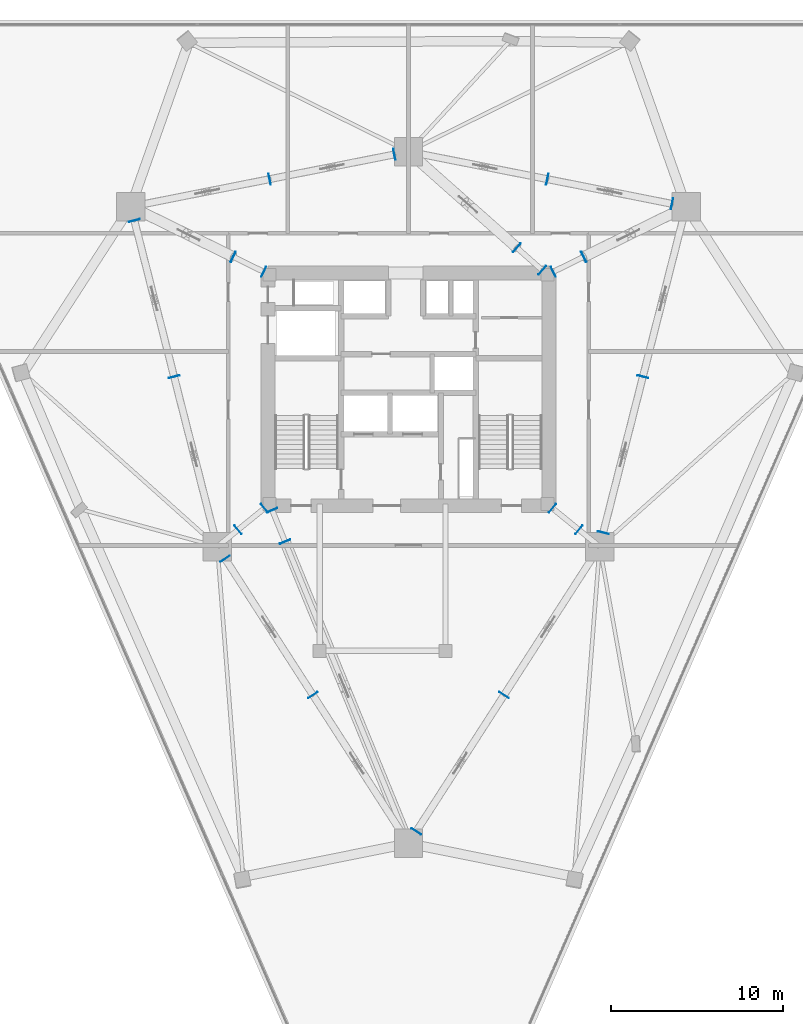
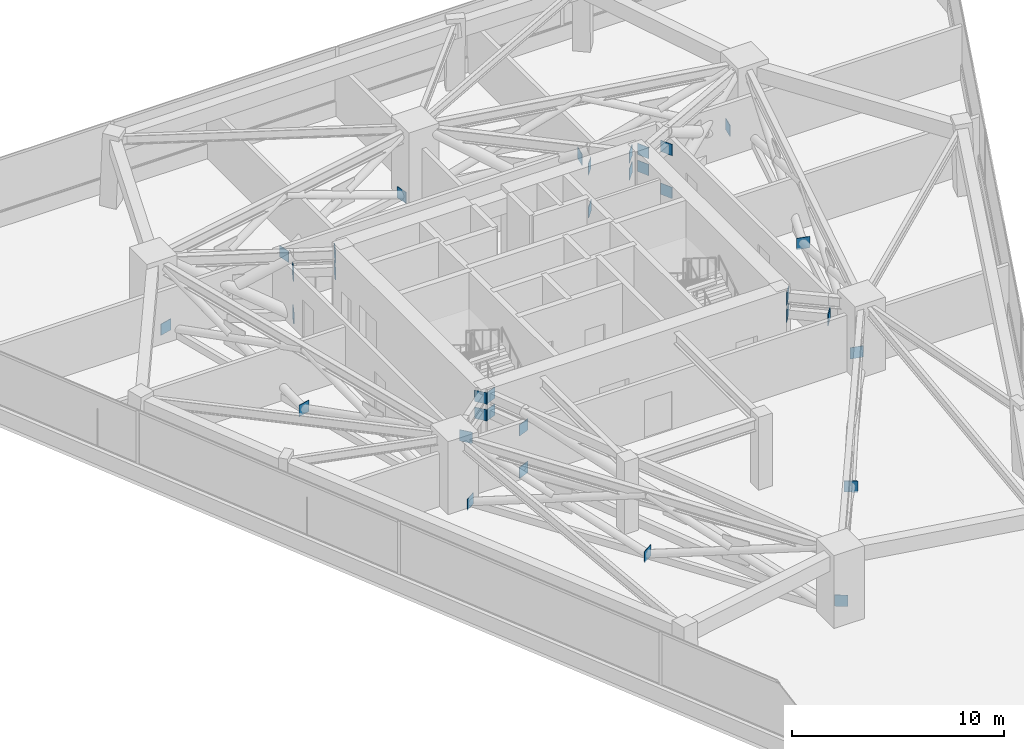
# One storey, part 11 of 14: 34 plates.
"""IFC4 building model written with IfcOpenShell, lengths in metres."""

from ifc_helpers import new_model, si_unit, direction, frame, origin, origin_2d, place, context, subcontext, project, spatial, rectangle, extrude, material, layer, layer_set, type_object, element, save


model = new_model("IFC4")

# Units and contexts
model_context = context("Model", 3, precision=1e-05, world=origin(), true_north=direction((0.0, 1.0)))
body_context = subcontext(model_context, "Body", "Model", "MODEL_VIEW")
ifc_project = project(units=[si_unit("LENGTHUNIT", "METRE"), si_unit("AREAUNIT", "SQUARE_METRE"), si_unit("VOLUMEUNIT", "CUBIC_METRE"), si_unit("PLANEANGLEUNIT", "RADIAN"), si_unit("MASSUNIT", "GRAM", prefix="KILO")], contexts=[model_context])

# Site, building, storey
site_placement = place(None, origin())
site = spatial("IfcSite", under=ifc_project, at=site_placement, CompositionType="ELEMENT")
building_placement = place(site_placement, origin())
building = spatial("IfcBuilding", under=site, at=building_placement, Name="Talyreon Biosciences Tower", CompositionType="ELEMENT")
storey_placement = place(building_placement, frame((0.0, 0.0, 123.0)))
storey = spatial("IfcBuildingStorey", under=building, at=storey_placement, Name="L32", CompositionType="ELEMENT", Elevation=123.0)

# Plates
ifc_material = material(Name="Steel SM355", Category="steel")
ifc_layer = layer(ifc_material, 0.028076171875)
ifc_layer_set = layer_set([ifc_layer], Name="Steel SM355")
plate_type = type_object("IfcPlateType", Name="HollowEndCapPlate_28", PredefinedType="SHEET", material=ifc_layer_set)
for number, where, z_axis, x_axis, name in (
    (1, (58.095703125, 60.99365234375, 3.35009765625), (0.0, 0.0, 1.0), (0.925580150933, 0.378551692902, 0.0), "Truss node plate NP-L32-OC-1"),
    (2, (58.095703125, 60.99365234375, 2.375), (0.0, 0.0, 1.0), (0.925580150933, 0.378551692902, 0.0), "Truss node plate NP-L32-OCM0-1"),
    (3, (58.844970703125, 59.161865234375, 2.375), (0.0, 0.0, 1.0), (0.925580150933, 0.378551692902, 0.0), "Truss node plate NP-L32-OCM1-1"),
    (4, (58.839599609375, 59.1748046875, -0.0849609375), (0.0, 0.0, 1.0), (0.925580150933, 0.378551692902, 0.0), "Truss node plate NP-OUT-L32-R1-E"),
    (5, (74.3486328125, 61.107177734375, 3.35009765625), (0.0, 0.0, 1.0), (0.631000821652, 0.775782162127, 0.0), "Truss node plate NP-L32-OC-2"),
    (6, (74.3486328125, 61.107177734375, 2.375), (0.0, 0.0, 1.0), (0.631000821652, 0.775782162127, 0.0), "Truss node plate NP-L32-OCM0-2"),
    (7, (75.884033203125, 59.8583984375, 2.375), (0.0, 0.0, 1.0), (0.631000821652, 0.775782162127, 0.0), "Truss node plate NP-L32-OCM1-2"),
    (8, (74.395751953125, 74.819580078125, 3.35009765625), (0.0, 0.0, 1.0), (-0.440283955252, 0.89785858505, 0.0), "Truss node plate NP-L32-OC-3"),
    (9, (74.395751953125, 74.819580078125, 2.375), (0.0, 0.0, 1.0), (-0.440283955252, 0.89785858505, 0.0), "Truss node plate NP-L32-OCM0-3"),
    (10, (76.172607421875, 75.69091796875, 2.375), (0.0, 0.0, 1.0), (-0.440283955252, 0.89785858505, 0.0), "Truss node plate NP-L32-OCM1-3"),
    (11, (76.159912109375, 75.684814453125, -0.0849609375), (0.0, 0.0, 1.0), (-0.440283955252, 0.89785858505, 0.0), "Truss node plate NP-OUT-L32-R3-E"),
    (12, (73.761962890625, 74.905517578125, 3.35009765625), (0.0, 0.0, 1.0), (-0.663495401773, -0.748180360492, 0.0), "Truss node plate NP-L32-OC-4"),
    (13, (73.761962890625, 74.905517578125, 2.375), (0.0, 0.0, 1.0), (-0.663495401773, -0.748180360492, 0.0), "Truss node plate NP-L32-OCM0-4"),
    (14, (72.28125, 76.218505859375, 2.375), (0.0, 0.0, 1.0), (-0.663495401773, -0.748180360492, 0.0), "Truss node plate NP-L32-OCM1-4"),
    (15, (72.291748046875, 76.209228515625, -0.0849609375), (0.0, 0.0, 1.0), (-0.663495401773, -0.748180360492, 0.0), "Truss node plate NP-OUT-L32-R4-E"),
    (16, (57.604248046875, 74.819580078125, 3.35009765625), (0.0, 0.0, 1.0), (-0.440283955252, -0.89785858505, 0.0), "Truss node plate NP-L32-OC-5"),
    (17, (57.604248046875, 74.819580078125, 2.375), (0.0, 0.0, 1.0), (-0.440283955252, -0.89785858505, 0.0), "Truss node plate NP-L32-OCM0-5"),
    (18, (55.827392578125, 75.69091796875, 2.375), (0.0, 0.0, 1.0), (-0.440283955252, -0.89785858505, 0.0), "Truss node plate NP-L32-OCM1-5"),
    (19, (55.840087890625, 75.684814453125, -0.0849609375), (0.0, 0.0, 1.0), (-0.440283955252, -0.89785858505, 0.0), "Truss node plate NP-OUT-L32-R5-E"),
    (20, (57.6513671875, 61.107177734375, 3.35009765625), (0.0, 0.0, 1.0), (0.631000821652, -0.775782162127, 0.0), "Truss node plate NP-L32-OC-6"),
    (21, (57.6513671875, 61.107177734375, 2.375), (0.0, 0.0, 1.0), (0.631000821652, -0.775782162127, 0.0), "Truss node plate NP-L32-OCM0-6"),
    (22, (56.115966796875, 59.8583984375, 2.375), (0.0, 0.0, 1.0), (0.631000821652, -0.775782162127, 0.0), "Truss node plate NP-L32-OCM1-6"),
    (23, (66.4521484375, 42.368896484375, -0.0849609375), (0.0, 0.0, 1.0), (-0.840727294555, 0.54145878531, 0.0), "Truss node plate NP-BELT-L32-B1S1-E"),
    (24, (71.543212890625, 50.273681640625, -0.0849609375), (0.0, 0.0, 1.0), (-0.840727294555, 0.54145878531, 0.0), "Truss node plate NP-BELT-L32-B1S2-E"),
    (25, (77.2919921875, 59.689697265625, -0.0849609375), (0.0, 0.0, 1.0), (-0.969132019352, 0.246542347409, 0.0), "Truss node plate NP-BELT-L32-B2S1-E"),
    (26, (79.59423828125, 68.739501953125, -0.0849609375), (0.0, 0.0, 1.0), (-0.969132019352, 0.246542347409, 0.0), "Truss node plate NP-BELT-L32-B2S2-E"),
    (27, (81.283203125, 78.760986328125, -0.0849609375), (0.0, 0.0, 1.0), (-0.194337075538, -0.980934809797, 0.0), "Truss node plate NP-BELT-L32-B3S1-E"),
    (28, (74.05126953125, 80.19384765625, -0.0849609375), (0.0, 0.0, 1.0), (-0.194337075538, -0.980934809797, 0.0), "Truss node plate NP-BELT-L32-B3S2-E"),
    (29, (65.180908203125, 81.626708984375, -0.0849609375), (0.0, 0.0, 1.0), (0.194337075538, -0.980934809797, 0.0), "Truss node plate NP-BELT-L32-B4S1-E"),
    (30, (57.94873046875, 80.19384765625, -0.0849609375), (0.0, 0.0, 1.0), (0.194337075538, -0.980934809797, 0.0), "Truss node plate NP-BELT-L32-B4S2-E"),
    (31, (50.103515625, 77.78955078125, -0.0849609375), (0.0, 0.0, 1.0), (0.969132019352, 0.246542347409, 0.0), "Truss node plate NP-BELT-L32-B5S1-E"),
    (32, (52.40576171875, 68.739501953125, -0.0849609375), (0.0, 0.0, 1.0), (0.969132019352, 0.246542347409, 0.0), "Truss node plate NP-BELT-L32-B5S2-E"),
    (33, (55.365966796875, 58.178466796875, -0.0849609375), (0.0, 0.0, 1.0), (0.840727294555, 0.54145878531, 0.0), "Truss node plate NP-BELT-L32-B6S1-E"),
    (34, (60.456787109375, 50.273681640625, -0.0849609375), (0.0, 0.0, 1.0), (0.840727294555, 0.54145878531, 0.0), "Truss node plate NP-BELT-L32-B6S2-E"),
):
    element("IfcPlate", number, at=place(storey_placement, frame(where, z_axis=z_axis, x_axis=x_axis)), inside=storey, type_object=plate_type, Name=name, PredefinedType="SHEET", context=body_context, shape_type="SweptSolid", body=[
        extrude(rectangle(XDim=0.64990234375, YDim=0.028076171875, at=origin_2d()), origin(), (0.0, 0.0, 1.0), 0.64990234375),
    ])

save(model, "model.ifc")
